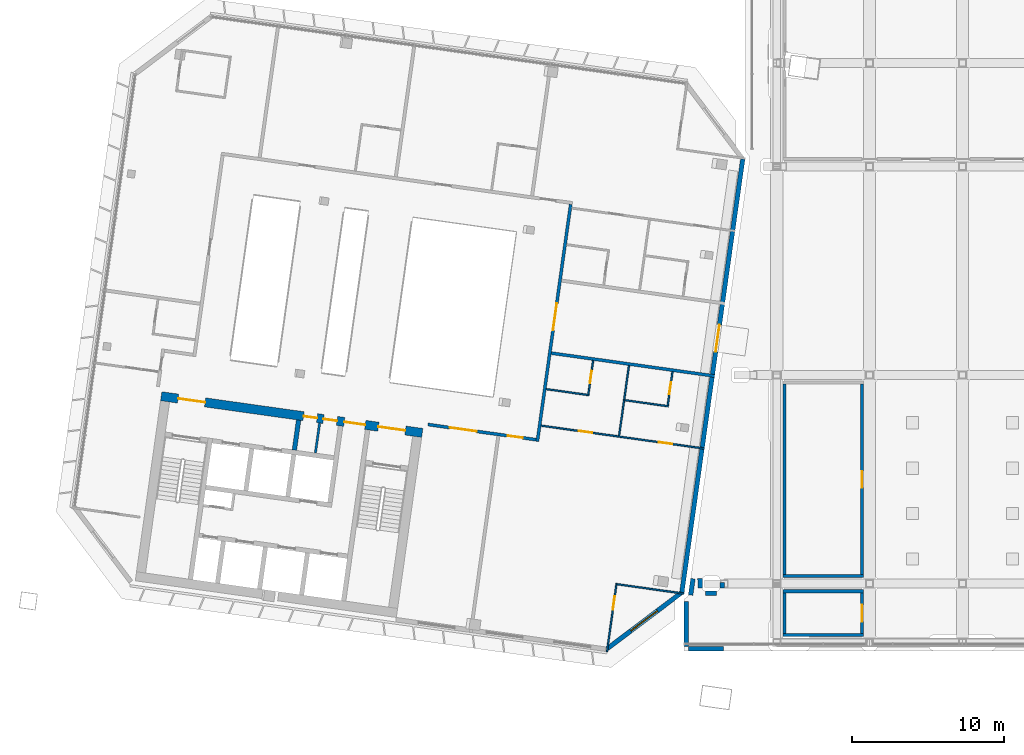
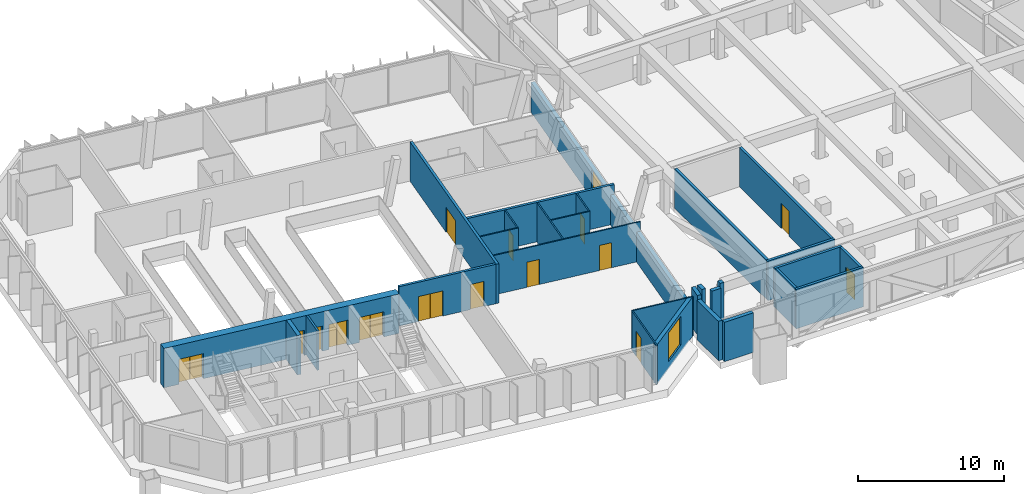
# One storey, part 19 of 30: 29 walls, 16 doors, 1 window, 17 openings.
"""IFC4 building model written with IfcOpenShell, lengths in metres."""

from ifc_helpers import new_model, si_unit, direction, frame, frame_2d, origin, place, context, subcontext, project, spatial, rectangle, extrude, material, layer, layer_set, type_object, element, fill, save


model = new_model("IFC4")

# Units and contexts
model_context = context("Model", 3, precision=1e-05, world=origin(), true_north=direction((0.0, 1.0)))
body_context = subcontext(model_context, "Body", "Model", "MODEL_VIEW")
ifc_project = project(units=[si_unit("LENGTHUNIT", "METRE"), si_unit("AREAUNIT", "SQUARE_METRE"), si_unit("VOLUMEUNIT", "CUBIC_METRE"), si_unit("PLANEANGLEUNIT", "RADIAN"), si_unit("MASSUNIT", "GRAM", prefix="KILO")], contexts=[model_context])

# Site, building, storey
site_placement = place(None, origin())
site = spatial("IfcSite", under=ifc_project, at=site_placement, CompositionType="ELEMENT")
building_placement = place(site_placement, origin())
building = spatial("IfcBuilding", under=site, at=building_placement, Name="Mirante Cascada Hotel Towers", CompositionType="ELEMENT")
storey_placement = place(building_placement, frame((0.0, 0.0, 258.4)))
storey = spatial("IfcBuildingStorey", under=building, at=storey_placement, Name="L62", CompositionType="ELEMENT", Elevation=258.4)

# Wall, openings, doors
ifc_material_1 = material(Name="Fire-rated plasterboard on metal studs")
ifc_layer_1 = layer(ifc_material_1, 0.2)
ifc_layer_set_1 = layer_set([ifc_layer_1], Name="Compartment wall 200 EI 120")
wall_type_1 = type_object("IfcWallType", Name="Compartment wall 200 EI 120", PredefinedType="PARTITIONING", material=ifc_layer_set_1)
wall_1_placement = place(storey_placement, frame((-28.1335, -8.1193, 0.0), z_axis=(0.0, 0.0, 1.0), x_axis=(-0.9902689, 0.1391674, 0.0)))
wall_1 = element("IfcWall", 1, at=wall_1_placement, inside=storey, type_object=wall_type_1, Name="Wall 1-L62-03", PredefinedType="PARTITIONING", context=body_context, shape_type="SweptSolid", body=[
    extrude(rectangle(XDim=7.2, YDim=0.2, at=frame_2d((3.6, 0.0))), origin(), (0.0, 0.0, 1.0), 3.3),
])
opening_1_placement = place(wall_1_placement, frame((0.9001, 0.0, 0.0)))
opening_1 = element("IfcOpeningElement", 2, at=opening_1_placement, cuts=wall_1, Name="Opening D1-L62-02", PredefinedType="OPENING", context=body_context, shape_type="SweptSolid", body=[
    extrude(rectangle(XDim=1.0, YDim=2.1, at=frame_2d((0.5, 1.05))), frame((0.0, 0.1, 0.0), z_axis=(0.0, -1.0, 0.0), x_axis=(1.0, 0.0, 0.0)), (0.0, 0.0, 1.0), 0.2),
])
opening_2_placement = place(wall_1_placement, frame((3.9501, 0.0, 0.0)))
opening_2 = element("IfcOpeningElement", 3, at=opening_2_placement, cuts=wall_1, Name="Opening D1-L62-03", PredefinedType="OPENING", context=body_context, shape_type="SweptSolid", body=[
    extrude(rectangle(XDim=1.8, YDim=2.1, at=frame_2d((0.9, 1.05))), frame((0.0, 0.1, 0.0), z_axis=(0.0, -1.0, 0.0), x_axis=(1.0, 0.0, 0.0)), (0.0, 0.0, 1.0), 0.2),
])
ifc_material_2 = material(Name="Fire-rated timber door leaf", Category="wood")
door_type_1 = type_object("IfcDoorType", Name="Entrance door DG1 1000x2100 EI 60", OperationType="SINGLE_SWING_LEFT", PredefinedType="DOOR", material=ifc_material_2)
door_1_placement = place(opening_1_placement, origin())
door_1 = element("IfcDoor", 4, at=door_1_placement, inside=storey, type_object=door_type_1, Name="Door D1-L62-02", OperationType="SINGLE_SWING_LEFT", OverallHeight=2.1, OverallWidth=1.0, PredefinedType="DOOR", context=body_context, shape_type="SweptSolid", body=[
    extrude(rectangle(XDim=1.0, YDim=2.1, at=frame_2d((0.5, 1.05))), frame((0.0, 0.025, 0.0), z_axis=(0.0, -1.0, 0.0), x_axis=(1.0, 0.0, 0.0)), (0.0, 0.0, 1.0), 0.05),
])
fill(opening_1, door_1)
ifc_material_3 = material(Name="Fire-rated timber door leaf", Category="wood")
door_type_2 = type_object("IfcDoorType", Name="Suite double door DG2 1800x2100 EI 60", OperationType="DOUBLE_DOOR_SINGLE_SWING", PredefinedType="DOOR", material=ifc_material_3)
door_2_placement = place(opening_2_placement, origin())
door_2 = element("IfcDoor", 5, at=door_2_placement, inside=storey, type_object=door_type_2, Name="Door D1-L62-03", OperationType="DOUBLE_DOOR_SINGLE_SWING", OverallHeight=2.1, OverallWidth=1.8, PredefinedType="DOOR", context=body_context, shape_type="SweptSolid", body=[
    extrude(rectangle(XDim=0.895, YDim=2.1, at=frame_2d((0.4475, 1.05))), frame((0.0, 0.025, 0.0), z_axis=(0.0, -1.0, 0.0), x_axis=(1.0, 0.0, 0.0)), (0.0, 0.0, 1.0), 0.05),
    extrude(rectangle(XDim=0.895, YDim=2.1, at=frame_2d((1.3525, 1.05))), frame((0.0, 0.025, 0.0), z_axis=(0.0, -1.0, 0.0), x_axis=(1.0, 0.0, 0.0)), (0.0, 0.0, 1.0), 0.05),
])
fill(opening_2, door_2)

# Wall
wall_2_placement = place(storey_placement, frame((-27.1282, -2.4036, 0.0), z_axis=(0.0, 0.0, 1.0), x_axis=(0.9902675, -0.1391768, 0.0)))
element("IfcWall", 6, at=wall_2_placement, inside=storey, type_object=wall_type_1, Name="Wall 1-L62-10", PredefinedType="PARTITIONING", context=body_context, shape_type="SweptSolid", body=[
    extrude(rectangle(XDim=10.8797, YDim=0.2, at=frame_2d((5.4398, 0.0))), origin(), (0.0, 0.0, 1.0), 3.3),
])

# Wall, opening, door
wall_3_placement = place(storey_placement, frame((-25.8494, 7.414, 0.0), z_axis=(0.0, 0.0, 1.0), x_axis=(-0.1391766, -0.9902676, 0.0)))
wall_3 = element("IfcWall", 7, at=wall_3_placement, inside=storey, type_object=wall_type_1, Name="Wall 1-L62-30", PredefinedType="PARTITIONING", context=body_context, shape_type="SweptSolid", body=[
    extrude(rectangle(XDim=15.8001, YDim=0.2, at=frame_2d((7.9, 0.0))), origin(), (0.0, 0.0, 1.0), 3.3),
])
opening_3_placement = place(wall_3_placement, frame((6.5834, 0.0, 0.0)))
opening_3 = element("IfcOpeningElement", 8, at=opening_3_placement, cuts=wall_3, Name="Opening D1-L62-21", PredefinedType="OPENING", context=body_context, shape_type="SweptSolid", body=[
    extrude(rectangle(XDim=1.8, YDim=2.1, at=frame_2d((0.9, 1.05))), frame((0.0, 0.1, 0.0), z_axis=(0.0, -1.0, 0.0), x_axis=(1.0, 0.0, 0.0)), (0.0, 0.0, 1.0), 0.2),
])
door_3_placement = place(opening_3_placement, origin())
door_3 = element("IfcDoor", 9, at=door_3_placement, inside=storey, type_object=door_type_2, Name="Door D1-L62-21", OperationType="DOUBLE_DOOR_SINGLE_SWING", OverallHeight=2.1, OverallWidth=1.8, PredefinedType="DOOR", context=body_context, shape_type="SweptSolid", body=[
    extrude(rectangle(XDim=0.895, YDim=2.1, at=frame_2d((0.4475, 1.05))), frame((0.0, 0.025, 0.0), z_axis=(0.0, -1.0, 0.0), x_axis=(1.0, 0.0, 0.0)), (0.0, 0.0, 1.0), 0.05),
    extrude(rectangle(XDim=0.895, YDim=2.1, at=frame_2d((1.3525, 1.05))), frame((0.0, 0.025, 0.0), z_axis=(0.0, -1.0, 0.0), x_axis=(1.0, 0.0, 0.0)), (0.0, 0.0, 1.0), 0.05),
])
fill(opening_3, door_3)

# Walls
ifc_material_4 = material(Name="Masonry block", Category="masonry")
ifc_layer_2 = layer(ifc_material_4, 0.15)
ifc_layer_set_2 = layer_set([ifc_layer_2], Name="Core room partition 150 block EI 30")
wall_type_2 = type_object("IfcWallType", Name="Core room partition 150 block EI 30", PredefinedType="PARTITIONING", material=ifc_layer_set_2)
wall_4_placement = place(storey_placement, frame((-42.6979, -9.0009, 0.0), z_axis=(0.0, 0.0, 1.0), x_axis=(0.1391529, 0.9902709, 0.0)))
element("IfcWall", 10, at=wall_4_placement, inside=storey, type_object=wall_type_2, Name="Core wall partition T1 L62 4", PredefinedType="PARTITIONING", context=body_context, shape_type="SweptSolid", body=[
    extrude(rectangle(XDim=2.0, YDim=0.15, at=frame_2d((1.0, 0.0))), origin(), (0.0, 0.0, 1.0), 3.3),
])
ifc_material_5 = material(Name="Masonry block", Category="masonry")
ifc_layer_3 = layer(ifc_material_5, 0.3)
ifc_layer_set_3 = layer_set([ifc_layer_3], Name="Core wall 300 block EI 120")
wall_type_3 = type_object("IfcWallType", Name="Core wall 300 block EI 120", PredefinedType="PARTITIONING", material=ifc_layer_set_3)
wall_5_placement = place(storey_placement, frame((-44.0843, -8.8061, 0.0), z_axis=(0.0, 0.0, 1.0), x_axis=(0.1391951, 0.990265, 0.0)))
element("IfcWall", 11, at=wall_5_placement, inside=storey, type_object=wall_type_3, Name="Core wall partition T1 L62 1", PredefinedType="PARTITIONING", context=body_context, shape_type="SweptSolid", body=[
    extrude(rectangle(XDim=2.0001, YDim=0.3, at=frame_2d((1.0001, 0.0))), origin(), (0.0, 0.0, 1.0), 3.3),
])
ifc_material_6 = material(Name="Masonry block", Category="masonry")
ifc_layer_4 = layer(ifc_material_6, 0.2)
ifc_layer_set_4 = layer_set([ifc_layer_4], Name="Deck room wall 200 block EI 120")
wall_type_4 = type_object("IfcWallType", Name="Deck room wall 200 block EI 120", PredefinedType="PARTITIONING", material=ifc_layer_set_4)
for number, where, z_axis, x_axis, name in (
    (12, (-11.85, -21.02, 0.0), (0.0, 0.0, 1.0), (1.0, 0.0, 0.0), "Sky park fire wall L62 W1"),
    (13, (-11.85, -18.12, 0.0), (0.0, 0.0, 1.0), (1.0, 0.0, 0.0), "Sky park fire wall L62 W2"),
):
    element("IfcWall", number, at=place(storey_placement, frame(where, z_axis=z_axis, x_axis=x_axis)), inside=storey, type_object=wall_type_4, Name=name, PredefinedType="PARTITIONING", context=body_context, shape_type="SweptSolid", body=[
        extrude(rectangle(XDim=5.32, YDim=0.2, at=frame_2d((2.66, 0.0))), origin(), (0.0, 0.0, 1.0), 3.3),
    ])
wall_6_placement = place(storey_placement, frame((-11.75, -20.92, 0.0), z_axis=(0.0, 0.0, 1.0), x_axis=(0.0, 1.0, 0.0)))
element("IfcWall", 14, at=wall_6_placement, inside=storey, type_object=wall_type_4, Name="Sky park fire wall L62 W3", PredefinedType="PARTITIONING", context=body_context, shape_type="SweptSolid", body=[
    extrude(rectangle(XDim=2.7, YDim=0.2, at=frame_2d((1.35, 0.0))), origin(), (0.0, 0.0, 1.0), 3.3),
])

# Wall, opening, door
wall_7_placement = place(storey_placement, frame((-6.63, -20.92, 0.0), z_axis=(0.0, 0.0, 1.0), x_axis=(0.0, 1.0, 0.0)))
wall_7 = element("IfcWall", 15, at=wall_7_placement, inside=storey, type_object=wall_type_4, Name="Sky park fire wall L62 W4", PredefinedType="PARTITIONING", context=body_context, shape_type="SweptSolid", body=[
    extrude(rectangle(XDim=2.7, YDim=0.2, at=frame_2d((1.35, 0.0))), origin(), (0.0, 0.0, 1.0), 3.3),
])
opening_4_placement = place(wall_7_placement, frame((0.8, 0.0, 0.0)))
opening_4 = element("IfcOpeningElement", 16, at=opening_4_placement, cuts=wall_7, Name="Opening DD-62-01", PredefinedType="OPENING", context=body_context, shape_type="SweptSolid", body=[
    extrude(rectangle(XDim=1.1, YDim=2.1, at=frame_2d((0.55, 1.05))), frame((0.0, 0.1, 0.0), z_axis=(0.0, -1.0, 0.0), x_axis=(1.0, 0.0, 0.0)), (0.0, 0.0, 1.0), 0.2),
])
ifc_material_7 = material(Name="Hollow metal fire door leaf")
door_type_3 = type_object("IfcDoorType", Name="Fire door 1100x2100 FD60 self-closing", OperationType="NOTDEFINED", PredefinedType="DOOR", material=ifc_material_7)
door_4_placement = place(opening_4_placement, origin())
door_4 = element("IfcDoor", 17, at=door_4_placement, inside=storey, type_object=door_type_3, Name="Fire door sky park L62 d1", OperationType="SINGLE_SWING_LEFT", OverallHeight=2.1, OverallWidth=1.1, PredefinedType="DOOR", context=body_context, shape_type="SweptSolid", body=[
    extrude(rectangle(XDim=1.1, YDim=2.1, at=frame_2d((0.55, 1.05))), frame((0.0, 0.025, 0.0), z_axis=(0.0, -1.0, 0.0), x_axis=(1.0, 0.0, 0.0)), (0.0, 0.0, 1.0), 0.05),
])
fill(opening_4, door_4)

# Walls
wall_8_placement = place(storey_placement, frame((-11.85, -17.12, 0.0), z_axis=(0.0, 0.0, 1.0), x_axis=(1.0, 0.0, 0.0)))
element("IfcWall", 18, at=wall_8_placement, inside=storey, type_object=wall_type_4, Name="Sky park fire wall L62 W5", PredefinedType="PARTITIONING", context=body_context, shape_type="SweptSolid", body=[
    extrude(rectangle(XDim=5.32, YDim=0.2, at=frame_2d((2.66, 0.0))), origin(), (0.0, 0.0, 1.0), 3.3),
])
wall_9_placement = place(storey_placement, frame((-11.75, -17.02, 0.0), z_axis=(0.0, 0.0, 1.0), x_axis=(0.0, 1.0, 0.0)))
element("IfcWall", 19, at=wall_9_placement, inside=storey, type_object=wall_type_4, Name="Sky park fire wall L62 W7", PredefinedType="PARTITIONING", context=body_context, shape_type="SweptSolid", body=[
    extrude(rectangle(XDim=12.57, YDim=0.2, at=frame_2d((6.285, 0.0))), origin(), (0.0, 0.0, 1.0), 3.3),
])

# Wall, opening, door
wall_10_placement = place(storey_placement, frame((-6.63, -17.02, 0.0), z_axis=(0.0, 0.0, 1.0), x_axis=(0.0, 1.0, 0.0)))
wall_10 = element("IfcWall", 20, at=wall_10_placement, inside=storey, type_object=wall_type_4, Name="Sky park fire wall L62 W8", PredefinedType="PARTITIONING", context=body_context, shape_type="SweptSolid", body=[
    extrude(rectangle(XDim=12.57, YDim=0.2, at=frame_2d((6.285, 0.0))), origin(), (0.0, 0.0, 1.0), 3.3),
])
opening_5_placement = place(wall_10_placement, frame((5.735, 0.0, 0.0)))
opening_5 = element("IfcOpeningElement", 21, at=opening_5_placement, cuts=wall_10, Name="Opening DD-62-02", PredefinedType="OPENING", context=body_context, shape_type="SweptSolid", body=[
    extrude(rectangle(XDim=1.1, YDim=2.1, at=frame_2d((0.55, 1.05))), frame((0.0, 0.1, 0.0), z_axis=(0.0, -1.0, 0.0), x_axis=(1.0, 0.0, 0.0)), (0.0, 0.0, 1.0), 0.2),
])
door_5_placement = place(opening_5_placement, origin())
door_5 = element("IfcDoor", 22, at=door_5_placement, inside=storey, type_object=door_type_3, Name="Fire door sky park L62 d2", OperationType="SINGLE_SWING_LEFT", OverallHeight=2.1, OverallWidth=1.1, PredefinedType="DOOR", context=body_context, shape_type="SweptSolid", body=[
    extrude(rectangle(XDim=1.1, YDim=2.1, at=frame_2d((0.55, 1.05))), frame((0.0, 0.025, 0.0), z_axis=(0.0, -1.0, 0.0), x_axis=(1.0, 0.0, 0.0)), (0.0, 0.0, 1.0), 0.05),
])
fill(opening_5, door_5)

# Wall
ifc_material_8 = material(Name="Plasterboard on metal studs")
ifc_layer_5 = layer(ifc_material_8, 0.1)
ifc_layer_set_5 = layer_set([ifc_layer_5], Name="Partition 100")
wall_type_5 = type_object("IfcWallType", Name="Partition 100", PredefinedType="PARTITIONING", material=ifc_layer_set_5)
wall_11_placement = place(storey_placement, frame((-18.3724, -18.2767, 0.0), z_axis=(0.0, 0.0, 1.0), x_axis=(-0.9902661, 0.1391871, 0.0)))
element("IfcWall", 23, at=wall_11_placement, inside=storey, type_object=wall_type_5, Name="Wall 1-L62-01", PredefinedType="PARTITIONING", context=body_context, shape_type="SweptSolid", body=[
    extrude(rectangle(XDim=4.55, YDim=0.1, at=frame_2d((2.275, 0.0))), origin(), (0.0, 0.0, 1.0), 3.3),
])

# Wall, openings, doors
wall_12_placement = place(storey_placement, frame((-27.8009, -7.1899, 0.0), z_axis=(0.0, 0.0, 1.0), x_axis=(0.9902688, -0.1391678, 0.0)))
wall_12 = element("IfcWall", 24, at=wall_12_placement, inside=storey, type_object=wall_type_5, Name="Wall 1-L62-04", PredefinedType="PARTITIONING", context=body_context, shape_type="SweptSolid", body=[
    extrude(rectangle(XDim=10.8797, YDim=0.1, at=frame_2d((5.4398, 0.0))), origin(), (0.0, 0.0, 1.0), 3.3),
])
opening_6_placement = place(wall_12_placement, frame((7.8297, 0.0, 0.0)))
opening_6 = element("IfcOpeningElement", 25, at=opening_6_placement, cuts=wall_12, Name="Opening D1-L62-04", PredefinedType="OPENING", context=body_context, shape_type="SweptSolid", body=[
    extrude(rectangle(XDim=0.9, YDim=2.1, at=frame_2d((0.45, 1.05))), frame((0.0, 0.05, 0.0), z_axis=(0.0, -1.0, 0.0), x_axis=(1.0, 0.0, 0.0)), (0.0, 0.0, 1.0), 0.1),
])
opening_7_placement = place(wall_12_placement, frame((2.4949, 0.0, 0.0)))
opening_7 = element("IfcOpeningElement", 26, at=opening_7_placement, cuts=wall_12, Name="Opening D1-L62-05", PredefinedType="OPENING", context=body_context, shape_type="SweptSolid", body=[
    extrude(rectangle(XDim=0.9, YDim=2.1, at=frame_2d((0.45, 1.05))), frame((0.0, 0.05, 0.0), z_axis=(0.0, -1.0, 0.0), x_axis=(1.0, 0.0, 0.0)), (0.0, 0.0, 1.0), 0.1),
])
ifc_material_9 = material(Name="Timber door leaf", Category="wood")
door_type_4 = type_object("IfcDoorType", Name="Room door DG3 900x2100", OperationType="SINGLE_SWING_LEFT", PredefinedType="DOOR", material=ifc_material_9)
door_6_placement = place(opening_6_placement, frame((0.9, 0.0, 0.0), z_axis=(0.0, 0.0, 1.0), x_axis=(-1.0, 0.0, 0.0)))
door_6 = element("IfcDoor", 27, at=door_6_placement, inside=storey, type_object=door_type_4, Name="Door D1-L62-04", OperationType="SINGLE_SWING_RIGHT", OverallHeight=2.1, OverallWidth=0.9, PredefinedType="DOOR", context=body_context, shape_type="SweptSolid", body=[
    extrude(rectangle(XDim=0.9, YDim=2.1, at=frame_2d((0.45, 1.05))), frame((0.0, 0.025, 0.0), z_axis=(0.0, -1.0, 0.0), x_axis=(1.0, 0.0, 0.0)), (0.0, 0.0, 1.0), 0.05),
])
fill(opening_6, door_6)
door_7_placement = place(opening_7_placement, frame((0.9, 0.0, 0.0), z_axis=(0.0, 0.0, 1.0), x_axis=(-1.0, 0.0, 0.0)))
door_7 = element("IfcDoor", 28, at=door_7_placement, inside=storey, type_object=door_type_4, Name="Door D1-L62-05", OperationType="SINGLE_SWING_RIGHT", OverallHeight=2.1, OverallWidth=0.9, PredefinedType="DOOR", context=body_context, shape_type="SweptSolid", body=[
    extrude(rectangle(XDim=0.9, YDim=2.1, at=frame_2d((0.45, 1.05))), frame((0.0, 0.025, 0.0), z_axis=(0.0, -1.0, 0.0), x_axis=(1.0, 0.0, 0.0)), (0.0, 0.0, 1.0), 0.05),
])
fill(opening_7, door_7)

# Walls
wall_13_placement = place(storey_placement, frame((-19.4017, -5.9131, 0.0), z_axis=(0.0, 0.0, 1.0), x_axis=(-0.9902676, 0.1391761, 0.0)))
element("IfcWall", 29, at=wall_13_placement, inside=storey, type_object=wall_type_5, Name="Wall 1-L62-07", PredefinedType="PARTITIONING", context=body_context, shape_type="SweptSolid", body=[
    extrude(rectangle(XDim=2.8999, YDim=0.1, at=frame_2d((1.45, 0.0))), origin(), (0.0, 0.0, 1.0), 3.3),
])
wall_14_placement = place(storey_placement, frame((-27.4622, -4.7802, 0.0), z_axis=(0.0, 0.0, 1.0), x_axis=(0.9902649, -0.1391957, 0.0)))
element("IfcWall", 30, at=wall_14_placement, inside=storey, type_object=wall_type_5, Name="Wall 1-L62-08", PredefinedType="PARTITIONING", context=body_context, shape_type="SweptSolid", body=[
    extrude(rectangle(XDim=2.8499, YDim=0.1, at=frame_2d((1.425, 0.0))), origin(), (0.0, 0.0, 1.0), 3.3),
])

# Wall, opening, door
wall_15_placement = place(storey_placement, frame((-19.1311, -3.6285, 0.0), z_axis=(0.0, 0.0, 1.0), x_axis=(-0.1391561, -0.9902705, 0.0)))
wall_15 = element("IfcWall", 31, at=wall_15_placement, inside=storey, type_object=wall_type_5, Name="Wall 1-L62-22", PredefinedType="PARTITIONING", context=body_context, shape_type="SweptSolid", body=[
    extrude(rectangle(XDim=2.25, YDim=0.1, at=frame_2d((1.125, 0.0))), origin(), (0.0, 0.0, 1.0), 3.3),
])
opening_8_placement = place(wall_15_placement, frame((0.7, 0.0, 0.0)))
opening_8 = element("IfcOpeningElement", 32, at=opening_8_placement, cuts=wall_15, Name="Opening D1-L62-15", PredefinedType="OPENING", context=body_context, shape_type="SweptSolid", body=[
    extrude(rectangle(XDim=0.8, YDim=2.1, at=frame_2d((0.4, 1.05))), frame((0.0, 0.05, 0.0), z_axis=(0.0, -1.0, 0.0), x_axis=(1.0, 0.0, 0.0)), (0.0, 0.0, 1.0), 0.1),
])
ifc_material_10 = material(Name="Timber door leaf", Category="wood")
door_type_5 = type_object("IfcDoorType", Name="Bathroom door DG4 800x2100", OperationType="SINGLE_SWING_LEFT", PredefinedType="DOOR", material=ifc_material_10)
door_8_placement = place(opening_8_placement, frame((0.8, 0.0, 0.0), z_axis=(0.0, 0.0, 1.0), x_axis=(-1.0, 0.0, 0.0)))
door_8 = element("IfcDoor", 33, at=door_8_placement, inside=storey, type_object=door_type_5, Name="Door D1-L62-15", OperationType="SINGLE_SWING_RIGHT", OverallHeight=2.1, OverallWidth=0.8, PredefinedType="DOOR", context=body_context, shape_type="SweptSolid", body=[
    extrude(rectangle(XDim=0.8, YDim=2.1, at=frame_2d((0.4, 1.05))), frame((0.0, 0.025, 0.0), z_axis=(0.0, -1.0, 0.0), x_axis=(1.0, 0.0, 0.0)), (0.0, 0.0, 1.0), 0.05),
])
fill(opening_8, door_8)

wall_16_placement = place(storey_placement, frame((-22.8356, -17.6999, 0.0), z_axis=(0.0, 0.0, 1.0), x_axis=(-0.1391684, -0.9902687, 0.0)))
wall_16 = element("IfcWall", 34, at=wall_16_placement, inside=storey, type_object=wall_type_5, Name="Wall 1-L62-24", PredefinedType="PARTITIONING", context=body_context, shape_type="SweptSolid", body=[
    extrude(rectangle(XDim=4.45, YDim=0.1, at=frame_2d((2.225, 0.0))), origin(), (0.0, 0.0, 1.0), 3.3),
])
opening_9_placement = place(wall_16_placement, frame((0.75, 0.0, 0.0)))
opening_9 = element("IfcOpeningElement", 35, at=opening_9_placement, cuts=wall_16, Name="Opening D1-L62-17", PredefinedType="OPENING", context=body_context, shape_type="SweptSolid", body=[
    extrude(rectangle(XDim=0.9, YDim=2.1, at=frame_2d((0.45, 1.05))), frame((0.0, 0.05, 0.0), z_axis=(0.0, -1.0, 0.0), x_axis=(1.0, 0.0, 0.0)), (0.0, 0.0, 1.0), 0.1),
])
door_9_placement = place(opening_9_placement, frame((0.9, 0.0, 0.0), z_axis=(0.0, 0.0, 1.0), x_axis=(-1.0, 0.0, 0.0)))
door_9 = element("IfcDoor", 36, at=door_9_placement, inside=storey, type_object=door_type_4, Name="Door D1-L62-17", OperationType="SINGLE_SWING_RIGHT", OverallHeight=2.1, OverallWidth=0.9, PredefinedType="DOOR", context=body_context, shape_type="SweptSolid", body=[
    extrude(rectangle(XDim=0.9, YDim=2.1, at=frame_2d((0.45, 1.05))), frame((0.0, 0.025, 0.0), z_axis=(0.0, -1.0, 0.0), x_axis=(1.0, 0.0, 0.0)), (0.0, 0.0, 1.0), 0.05),
])
fill(opening_9, door_9)

# Wall
wall_17_placement = place(storey_placement, frame((-22.0028, -3.2249, 0.0), z_axis=(0.0, 0.0, 1.0), x_axis=(-0.139176, -0.9902677, 0.0)))
element("IfcWall", 37, at=wall_17_placement, inside=storey, type_object=wall_type_5, Name="Wall 1-L62-26", PredefinedType="PARTITIONING", context=body_context, shape_type="SweptSolid", body=[
    extrude(rectangle(XDim=4.6833, YDim=0.1, at=frame_2d((2.3416, 0.0))), origin(), (0.0, 0.0, 1.0), 3.3),
])

# Wall, opening, door
wall_18_placement = place(storey_placement, frame((-24.3694, -2.8923, 0.0), z_axis=(0.0, 0.0, 1.0), x_axis=(-0.1391561, -0.9902705, 0.0)))
wall_18 = element("IfcWall", 38, at=wall_18_placement, inside=storey, type_object=wall_type_5, Name="Wall 1-L62-28", PredefinedType="PARTITIONING", context=body_context, shape_type="SweptSolid", body=[
    extrude(rectangle(XDim=2.25, YDim=0.1, at=frame_2d((1.125, 0.0))), origin(), (0.0, 0.0, 1.0), 3.3),
])
opening_10_placement = place(wall_18_placement, frame((0.7, 0.0, 0.0)))
opening_10 = element("IfcOpeningElement", 39, at=opening_10_placement, cuts=wall_18, Name="Opening D1-L62-19", PredefinedType="OPENING", context=body_context, shape_type="SweptSolid", body=[
    extrude(rectangle(XDim=0.8, YDim=2.1, at=frame_2d((0.4, 1.05))), frame((0.0, 0.05, 0.0), z_axis=(0.0, -1.0, 0.0), x_axis=(1.0, 0.0, 0.0)), (0.0, 0.0, 1.0), 0.1),
])
door_10_placement = place(opening_10_placement, frame((0.8, 0.0, 0.0), z_axis=(0.0, 0.0, 1.0), x_axis=(-1.0, 0.0, 0.0)))
door_10 = element("IfcDoor", 40, at=door_10_placement, inside=storey, type_object=door_type_5, Name="Door D1-L62-19", OperationType="SINGLE_SWING_RIGHT", OverallHeight=2.1, OverallWidth=0.8, PredefinedType="DOOR", context=body_context, shape_type="SweptSolid", body=[
    extrude(rectangle(XDim=0.8, YDim=2.1, at=frame_2d((0.4, 1.05))), frame((0.0, 0.025, 0.0), z_axis=(0.0, -1.0, 0.0), x_axis=(1.0, 0.0, 0.0)), (0.0, 0.0, 1.0), 0.05),
])
fill(opening_10, door_10)

# Wall, opening, window
ifc_material_11 = material(Name="Precast concrete C40/50", Category="concrete")
ifc_layer_6 = layer(ifc_material_11, 0.3)
ifc_layer_set_6 = layer_set([ifc_layer_6], Name="Precast concrete C40/50 cladding wall 300")
wall_type_6 = type_object("IfcWallType", Name="Precast concrete C40/50 cladding wall 300", PredefinedType="STANDARD", material=ifc_layer_set_6)
wall_19_placement = place(storey_placement, frame((-18.5618, -18.2316, 0.0), z_axis=(0.0, 0.0, 1.0), x_axis=(-0.7986362, -0.6018141, 0.0)))
wall_19 = element("IfcWall", 41, at=wall_19_placement, inside=storey, type_object=wall_type_6, Name="Corner cladding wall T1 L62 inner rear", PredefinedType="STANDARD", context=body_context, shape_type="SweptSolid", body=[
    extrude(rectangle(XDim=6.1157, YDim=0.3, at=frame_2d((3.0578, 0.0))), origin(), (0.0, 0.0, 1.0), 3.3),
])
opening_11_placement = place(wall_19_placement, frame((1.9578, 0.0, 0.6)))
opening_11 = element("IfcOpeningElement", 42, at=opening_11_placement, cuts=wall_19, Name="Opening W1-62-07", PredefinedType="OPENING", context=body_context, shape_type="SweptSolid", body=[
    extrude(rectangle(XDim=2.2, YDim=2.4, at=frame_2d((1.1, 1.2))), frame((0.0, 0.15, 0.0), z_axis=(0.0, -1.0, 0.0), x_axis=(1.0, 0.0, 0.0)), (0.0, 0.0, 1.0), 0.3),
])
ifc_material_12 = material(Name="Aluminium frame with clear double glazing", Category="aluminium")
window_type = type_object("IfcWindowType", Name="Corner suite window 2200x2400", PartitioningType="DOUBLE_PANEL_VERTICAL", PredefinedType="WINDOW", material=ifc_material_12)
window_placement = place(opening_11_placement, origin())
window = element("IfcWindow", 43, at=window_placement, inside=storey, type_object=window_type, Name="Window W1-62-07", OverallHeight=2.4, OverallWidth=2.2, PartitioningType="SINGLE_PANEL", PredefinedType="WINDOW", context=body_context, shape_type="SweptSolid", body=[
    extrude(rectangle(XDim=2.2, YDim=2.4, at=frame_2d((1.1, 1.2))), frame((0.0, 0.03, 0.0), z_axis=(0.0, -1.0, 0.0), x_axis=(1.0, 0.0, 0.0)), (0.0, 0.0, 1.0), 0.06),
])
fill(opening_11, window)

# Walls
wall_20_placement = place(storey_placement, frame((-15.77, -21.9089, 0.0), z_axis=(0.0, 0.0, 1.0), x_axis=(-1.0, 0.0, 0.0)))
element("IfcWall", 44, at=wall_20_placement, inside=storey, type_object=wall_type_6, Name="Corner closure wall L62 2.1", PredefinedType="STANDARD", context=body_context, shape_type="SweptSolid", body=[
    extrude(rectangle(XDim=2.3024, YDim=0.3, at=frame_2d((1.1512, 0.0))), origin(), (0.0, 0.0, 1.0), 3.3),
])
wall_21_placement = place(storey_placement, frame((-18.2224, -21.7589, 0.0), z_axis=(0.0, 0.0, 1.0), x_axis=(0.0, 1.0, 0.0)))
element("IfcWall", 45, at=wall_21_placement, inside=storey, type_object=wall_type_6, Name="Corner closure wall L62 2.2", PredefinedType="STANDARD", context=body_context, shape_type="SweptSolid", body=[
    extrude(rectangle(XDim=2.958, YDim=0.3, at=frame_2d((1.479, 0.0))), origin(), (0.0, 0.0, 1.0), 3.3),
])
wall_22_placement = place(storey_placement, frame((-17.9334, -18.3719, 0.0), z_axis=(0.0, 0.0, 1.0), x_axis=(0.1412031, 0.9899806, 0.0)))
element("IfcWall", 46, at=wall_22_placement, inside=storey, type_object=wall_type_6, Name="Corner closure wall L62 2.10", PredefinedType="STANDARD", context=body_context, shape_type="SweptSolid", body=[
    extrude(rectangle(XDim=1.0906, YDim=0.3, at=frame_2d((0.5453, 0.0))), origin(), (0.0, 0.0, 1.0), 3.3),
])
wall_23_placement = place(storey_placement, frame((-16.9424, -18.2635, 0.0), z_axis=(0.0, 0.0, 1.0), x_axis=(1.0, 0.0, 0.0)))
element("IfcWall", 47, at=wall_23_placement, inside=storey, type_object=wall_type_6, Name="Corner closure wall L62 3.3", PredefinedType="STANDARD", context=body_context, shape_type="SweptSolid", body=[
    extrude(rectangle(XDim=0.712, YDim=0.3, at=frame_2d((0.356, 0.0))), origin(), (0.0, 0.0, 1.0), 3.3),
])
wall_24_placement = place(storey_placement, frame((-15.8603, -17.894, 0.0), z_axis=(0.0, 0.0, 1.0), x_axis=(0.0070766, 0.999975, 0.0)))
element("IfcWall", 48, at=wall_24_placement, inside=storey, type_object=wall_type_6, Name="Corner closure wall L62 3.18", PredefinedType="STANDARD", context=body_context, shape_type="SweptSolid", body=[
    extrude(rectangle(XDim=0.3674, YDim=0.3, at=frame_2d((0.1837, 0.0))), origin(), (0.0, 0.0, 1.0), 3.3),
])
wall_25_placement = place(storey_placement, frame((-17.3147, -17.27, 0.0), z_axis=(0.0, 0.0, 1.0), x_axis=(0.0035273, -0.9999938, 0.0)))
element("IfcWall", 49, at=wall_25_placement, inside=storey, type_object=wall_type_6, Name="Corner closure wall L62 4.1", PredefinedType="STANDARD", context=body_context, shape_type="SweptSolid", body=[
    extrude(rectangle(XDim=0.6237, YDim=0.3, at=frame_2d((0.3118, 0.0))), origin(), (0.0, 0.0, 1.0), 3.3),
])

# Wall, opening, door
ifc_material_13 = material(Name="Precast concrete C40/50", Category="concrete")
ifc_layer_7 = layer(ifc_material_13, 0.3)
ifc_layer_set_7 = layer_set([ifc_layer_7], Name="Precast concrete C40/50 link wall 300 EI 120")
wall_type_7 = type_object("IfcWallType", Name="Precast concrete C40/50 link wall 300 EI 120", PredefinedType="STANDARD", material=ifc_layer_set_7)
wall_26_placement = place(storey_placement, frame((-14.4936, 10.4005, 0.0), z_axis=(0.0, 0.0, 1.0), x_axis=(-0.1391723, -0.9902682, 0.0)))
wall_26 = element("IfcWall", 50, at=wall_26_placement, inside=storey, type_object=wall_type_7, Name="Link end wall T1 L62", PredefinedType="STANDARD", context=body_context, shape_type="SweptSolid", body=[
    extrude(rectangle(XDim=28.8757, YDim=0.3, at=frame_2d((14.4378, 0.0))), origin(), (0.0, 0.0, 1.0), 2.5),
])
opening_12_placement = place(wall_26_placement, frame((11.0459, 0.0, 0.0)))
opening_12 = element("IfcOpeningElement", 51, at=opening_12_placement, cuts=wall_26, Name="Opening D1-62-91", PredefinedType="OPENING", context=body_context, shape_type="SweptSolid", body=[
    extrude(rectangle(XDim=1.8, YDim=2.4, at=frame_2d((0.9, 1.2))), frame((0.0, 0.15, 0.0), z_axis=(0.0, -1.0, 0.0), x_axis=(1.0, 0.0, 0.0)), (0.0, 0.0, 1.0), 0.3),
])
ifc_material_14 = material(Name="Steel fire door leaf with glazed vision panel", Category="steel")
door_type_6 = type_object("IfcDoorType", Name="Link fire door 1800x2400 FD60", OperationType="DOUBLE_DOOR_SINGLE_SWING", PredefinedType="DOOR", material=ifc_material_14)
door_11_placement = place(opening_12_placement, origin())
door_11 = element("IfcDoor", 52, at=door_11_placement, inside=storey, type_object=door_type_6, Name="Link fire door D1-62-91", OperationType="DOUBLE_DOOR_SINGLE_SWING", OverallHeight=2.4, OverallWidth=1.8, PredefinedType="DOOR", context=body_context, shape_type="SweptSolid", body=[
    extrude(rectangle(XDim=0.895, YDim=2.4, at=frame_2d((0.4475, 1.2))), frame((0.0, 0.025, 0.0), z_axis=(0.0, -1.0, 0.0), x_axis=(1.0, 0.0, 0.0)), (0.0, 0.0, 1.0), 0.05),
    extrude(rectangle(XDim=0.895, YDim=2.4, at=frame_2d((1.3525, 1.2))), frame((0.0, 0.025, 0.0), z_axis=(0.0, -1.0, 0.0), x_axis=(1.0, 0.0, 0.0)), (0.0, 0.0, 1.0), 0.05),
])
fill(opening_12, door_11)

# Wall, openings, doors
ifc_material_15 = material(Name="Concrete C50/60", Category="concrete")
ifc_layer_8 = layer(ifc_material_15, 0.6)
ifc_layer_set_8 = layer_set([ifc_layer_8], Name="RC core wall 600 C50/60")
wall_type_8 = type_object("IfcWallType", Name="RC core wall 600 C50/60", PredefinedType="SHEAR", material=ifc_layer_set_8)
wall_27_placement = place(storey_placement, frame((-35.644, -7.6697, 0.0), z_axis=(0.0, 0.0, 1.0), x_axis=(-0.9902682, 0.1391721, 0.0)))
wall_27 = element("IfcWall", 53, at=wall_27_placement, inside=storey, type_object=wall_type_8, Name="Core wall T1:L62:2", PredefinedType="SHEAR", context=body_context, shape_type="SweptSolid", body=[
    extrude(rectangle(XDim=17.4, YDim=0.6, at=frame_2d((8.7, 0.0))), origin(), (0.0, 0.0, 1.0), 3.3),
])
opening_13_placement = place(wall_27_placement, frame((1.125, 0.0, 0.0)))
opening_13 = element("IfcOpeningElement", 54, at=opening_13_placement, cuts=wall_27, Name="Opening D1-62-C08", PredefinedType="OPENING", context=body_context, shape_type="SweptSolid", body=[
    extrude(rectangle(XDim=1.8, YDim=2.1, at=frame_2d((0.9, 1.05))), frame((0.0, 0.3, 0.0), z_axis=(0.0, -1.0, 0.0), x_axis=(1.0, 0.0, 0.0)), (0.0, 0.0, 1.0), 0.6),
])
opening_14_placement = place(wall_27_placement, frame((14.475, 0.0, 0.0)))
opening_14 = element("IfcOpeningElement", 55, at=opening_14_placement, cuts=wall_27, Name="Opening D1-62-C10", PredefinedType="OPENING", context=body_context, shape_type="SweptSolid", body=[
    extrude(rectangle(XDim=1.8, YDim=2.1, at=frame_2d((0.9, 1.05))), frame((0.0, 0.3, 0.0), z_axis=(0.0, -1.0, 0.0), x_axis=(1.0, 0.0, 0.0)), (0.0, 0.0, 1.0), 0.6),
])
opening_15_placement = place(wall_27_placement, frame((3.8, 0.0, 0.0)))
opening_15 = element("IfcOpeningElement", 56, at=opening_15_placement, cuts=wall_27, Name="Opening D1-62-C11", PredefinedType="OPENING", context=body_context, shape_type="SweptSolid", body=[
    extrude(rectangle(XDim=1.4, YDim=2.1, at=frame_2d((0.7, 1.05))), frame((0.0, 0.3, 0.0), z_axis=(0.0, -1.0, 0.0), x_axis=(1.0, 0.0, 0.0)), (0.0, 0.0, 1.0), 0.6),
])
opening_16_placement = place(wall_27_placement, frame((5.6875, 0.0, 0.0)))
opening_16 = element("IfcOpeningElement", 57, at=opening_16_placement, cuts=wall_27, Name="Opening D1-62-C14", PredefinedType="OPENING", context=body_context, shape_type="SweptSolid", body=[
    extrude(rectangle(XDim=0.9, YDim=2.1, at=frame_2d((0.45, 1.05))), frame((0.0, 0.3, 0.0), z_axis=(0.0, -1.0, 0.0), x_axis=(1.0, 0.0, 0.0)), (0.0, 0.0, 1.0), 0.6),
])
opening_17_placement = place(wall_27_placement, frame((7.0125, 0.0, 0.0)))
opening_17 = element("IfcOpeningElement", 58, at=opening_17_placement, cuts=wall_27, Name="Opening D1-62-C15", PredefinedType="OPENING", context=body_context, shape_type="SweptSolid", body=[
    extrude(rectangle(XDim=0.9, YDim=2.1, at=frame_2d((0.45, 1.05))), frame((0.0, 0.3, 0.0), z_axis=(0.0, -1.0, 0.0), x_axis=(1.0, 0.0, 0.0)), (0.0, 0.0, 1.0), 0.6),
])
ifc_material_16 = material(Name="Hollow metal fire door leaf")
door_type_7 = type_object("IfcDoorType", Name="Double fire door 1400x2100 FD60", OperationType="DOUBLE_DOOR_SINGLE_SWING", PredefinedType="DOOR", material=ifc_material_16)
door_12_placement = place(opening_15_placement, frame((1.4, 0.0, 0.0), z_axis=(0.0, 0.0, 1.0), x_axis=(-1.0, 0.0, 0.0)))
door_12 = element("IfcDoor", 59, at=door_12_placement, inside=storey, type_object=door_type_7, Name="Exit door to gallery T1 L62 11", OperationType="DOUBLE_DOOR_SINGLE_SWING", OverallHeight=2.1, OverallWidth=1.4, PredefinedType="DOOR", context=body_context, shape_type="SweptSolid", body=[
    extrude(rectangle(XDim=0.695, YDim=2.1, at=frame_2d((0.3475, 1.05))), frame((0.0, 0.025, 0.0), z_axis=(0.0, -1.0, 0.0), x_axis=(1.0, 0.0, 0.0)), (0.0, 0.0, 1.0), 0.05),
    extrude(rectangle(XDim=0.695, YDim=2.1, at=frame_2d((1.0525, 1.05))), frame((0.0, 0.025, 0.0), z_axis=(0.0, -1.0, 0.0), x_axis=(1.0, 0.0, 0.0)), (0.0, 0.0, 1.0), 0.05),
])
fill(opening_15, door_12)
ifc_material_17 = material(Name="Hollow metal fire door leaf")
door_type_8 = type_object("IfcDoorType", Name="Double fire door 1800x2100 FD60", OperationType="DOUBLE_DOOR_SINGLE_SWING", PredefinedType="DOOR", material=ifc_material_17)
door_13_placement = place(opening_13_placement, origin())
door_13 = element("IfcDoor", 60, at=door_13_placement, inside=storey, type_object=door_type_8, Name="Exit door to gallery T1 L62 8", OperationType="DOUBLE_DOOR_SINGLE_SWING", OverallHeight=2.1, OverallWidth=1.8, PredefinedType="DOOR", context=body_context, shape_type="SweptSolid", body=[
    extrude(rectangle(XDim=0.895, YDim=2.1, at=frame_2d((0.4475, 1.05))), frame((0.0, 0.025, 0.0), z_axis=(0.0, -1.0, 0.0), x_axis=(1.0, 0.0, 0.0)), (0.0, 0.0, 1.0), 0.05),
    extrude(rectangle(XDim=0.895, YDim=2.1, at=frame_2d((1.3525, 1.05))), frame((0.0, 0.025, 0.0), z_axis=(0.0, -1.0, 0.0), x_axis=(1.0, 0.0, 0.0)), (0.0, 0.0, 1.0), 0.05),
])
fill(opening_13, door_13)
door_14_placement = place(opening_14_placement, origin())
door_14 = element("IfcDoor", 61, at=door_14_placement, inside=storey, type_object=door_type_8, Name="Exit door to gallery T1 L62 10", OperationType="DOUBLE_DOOR_SINGLE_SWING", OverallHeight=2.1, OverallWidth=1.8, PredefinedType="DOOR", context=body_context, shape_type="SweptSolid", body=[
    extrude(rectangle(XDim=0.895, YDim=2.1, at=frame_2d((0.4475, 1.05))), frame((0.0, 0.025, 0.0), z_axis=(0.0, -1.0, 0.0), x_axis=(1.0, 0.0, 0.0)), (0.0, 0.0, 1.0), 0.05),
    extrude(rectangle(XDim=0.895, YDim=2.1, at=frame_2d((1.3525, 1.05))), frame((0.0, 0.025, 0.0), z_axis=(0.0, -1.0, 0.0), x_axis=(1.0, 0.0, 0.0)), (0.0, 0.0, 1.0), 0.05),
])
fill(opening_14, door_14)
ifc_material_18 = material(Name="Hollow metal fire door leaf")
door_type_9 = type_object("IfcDoorType", Name="Fire door 900x2100 FD60", OperationType="NOTDEFINED", PredefinedType="DOOR", material=ifc_material_18)
door_15_placement = place(opening_16_placement, origin())
door_15 = element("IfcDoor", 62, at=door_15_placement, inside=storey, type_object=door_type_9, Name="Room door T1 L62 14", OperationType="SINGLE_SWING_RIGHT", OverallHeight=2.1, OverallWidth=0.9, PredefinedType="DOOR", context=body_context, shape_type="SweptSolid", body=[
    extrude(rectangle(XDim=0.9, YDim=2.1, at=frame_2d((0.45, 1.05))), frame((0.0, 0.025, 0.0), z_axis=(0.0, -1.0, 0.0), x_axis=(1.0, 0.0, 0.0)), (0.0, 0.0, 1.0), 0.05),
])
fill(opening_16, door_15)
door_16_placement = place(opening_17_placement, origin())
door_16 = element("IfcDoor", 63, at=door_16_placement, inside=storey, type_object=door_type_9, Name="Room door T1 L62 15", OperationType="SINGLE_SWING_RIGHT", OverallHeight=2.1, OverallWidth=0.9, PredefinedType="DOOR", context=body_context, shape_type="SweptSolid", body=[
    extrude(rectangle(XDim=0.9, YDim=2.1, at=frame_2d((0.45, 1.05))), frame((0.0, 0.025, 0.0), z_axis=(0.0, -1.0, 0.0), x_axis=(1.0, 0.0, 0.0)), (0.0, 0.0, 1.0), 0.05),
])
fill(opening_17, door_16)

save(model, "model.ifc")
